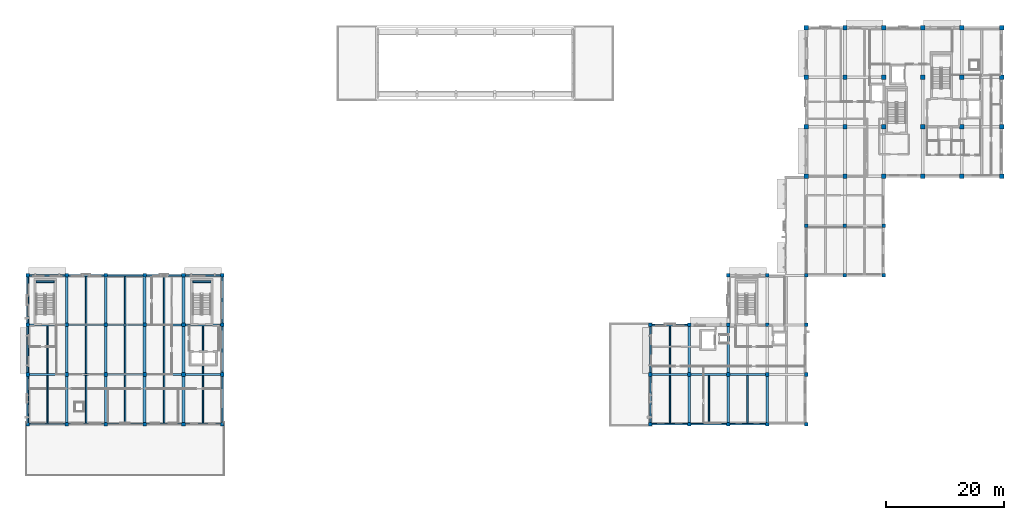
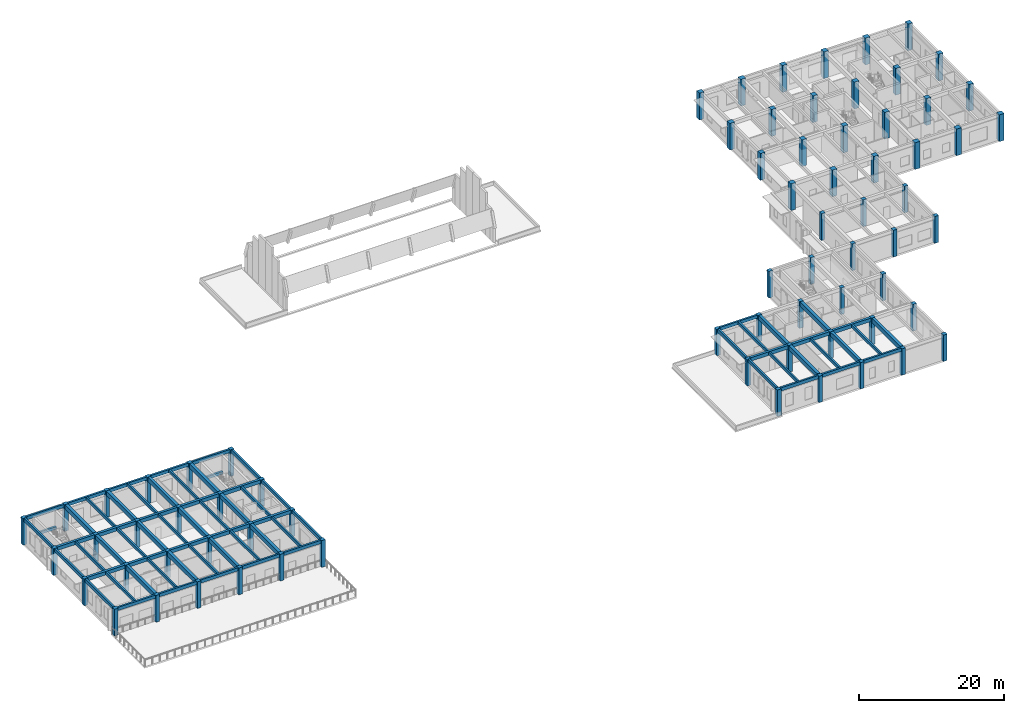
# One storey, part 1 of 25: 71 beams, 71 columns.
"""IFC4 building model written with IfcOpenShell, lengths in metres."""

from ifc_helpers import new_model, si_unit, direction, frame, origin, origin_2d, place, context, subcontext, project, spatial, rectangle, extrude, material, material_profile, profile_set, type_object, element, save


model = new_model("IFC4")

# Units and contexts
model_context = context("Model", 3, precision=1e-05, world=origin(), true_north=direction((0.0, 1.0)))
body_context = subcontext(model_context, "Body", "Model", "MODEL_VIEW")
ifc_project = project(units=[si_unit("LENGTHUNIT", "METRE"), si_unit("AREAUNIT", "SQUARE_METRE"), si_unit("VOLUMEUNIT", "CUBIC_METRE"), si_unit("PLANEANGLEUNIT", "RADIAN"), si_unit("MASSUNIT", "GRAM", prefix="KILO")], contexts=[model_context])

# Site, building, storey
site_placement = place(None, origin())
site = spatial("IfcSite", under=ifc_project, at=site_placement, CompositionType="ELEMENT")
building_placement = place(site_placement, origin())
building = spatial("IfcBuilding", under=site, at=building_placement, Name="Kolvaren Faculty of Natural Sciences", CompositionType="ELEMENT")
storey_placement = place(building_placement, frame((0.0, 0.0, 19.5)))
storey = spatial("IfcBuildingStorey", under=building, at=storey_placement, Name="L04", CompositionType="ELEMENT", Elevation=19.5)

# Columns
ifc_material_1 = material(Name="Concrete C35/45", Category="concrete")
ifc_material_profile_1 = material_profile(ifc_material_1, rectangle(XDim=0.60009765625, YDim=0.60009765625, at=origin_2d()), Name="RC COL 600x600")
ifc_profile_set_1 = profile_set([ifc_material_profile_1], Name="Concrete C35/45")
column_type_1 = type_object("IfcColumnType", Name="FrameColumn_600x600", PredefinedType="COLUMN", material=ifc_profile_set_1)
for number, where, z_axis, x_axis, name in (
    (1, (6.800048828125, 17.0, 0.0), (0.0, 0.0, 1.0), (1.0, 0.0, 0.0), "L04 column FC-60 at 2/C"),
    (2, (6.800048828125, 25.39990234375, 0.0), (0.0, 0.0, 1.0), (1.0, 0.0, 0.0), "L04 column FC-60 at 2/D"),
    (3, (6.800048828125, 33.800048828125, 0.0), (0.0, 0.0, 1.0), (1.0, 0.0, 0.0), "L04 column FC-60 at 2/E"),
    (4, (6.800048828125, 42.199951171875, 0.0), (0.0, 0.0, 1.0), (1.0, 0.0, 0.0), "L04 column FC-60 at 2/F"),
    (5, (13.39990234375, 17.0, 0.0), (0.0, 0.0, 1.0), (1.0, 0.0, 0.0), "L04 column FC-60 at 3/C"),
    (6, (13.39990234375, 25.39990234375, 0.0), (0.0, 0.0, 1.0), (1.0, 0.0, 0.0), "L04 column FC-60 at 3/D"),
    (7, (13.39990234375, 33.800048828125, 0.0), (0.0, 0.0, 1.0), (1.0, 0.0, 0.0), "L04 column FC-60 at 3/E"),
    (8, (13.39990234375, 42.199951171875, 0.0), (0.0, 0.0, 1.0), (1.0, 0.0, 0.0), "L04 column FC-60 at 3/F"),
    (9, (20.0, 17.0, 0.0), (0.0, 0.0, 1.0), (1.0, 0.0, 0.0), "L04 column FC-60 at 4/C"),
    (10, (20.0, 25.39990234375, 0.0), (0.0, 0.0, 1.0), (1.0, 0.0, 0.0), "L04 column FC-60 at 4/D"),
    (11, (20.0, 33.800048828125, 0.0), (0.0, 0.0, 1.0), (1.0, 0.0, 0.0), "L04 column FC-60 at 4/E"),
    (12, (20.0, 42.199951171875, 0.0), (0.0, 0.0, 1.0), (1.0, 0.0, 0.0), "L04 column FC-60 at 4/F"),
    (13, (26.60009765625, 17.0, 0.0), (0.0, 0.0, 1.0), (1.0, 0.0, 0.0), "L04 column FC-60 at 5/C"),
    (14, (26.60009765625, 25.39990234375, 0.0), (0.0, 0.0, 1.0), (1.0, 0.0, 0.0), "L04 column FC-60 at 5/D"),
    (15, (26.60009765625, 33.800048828125, 0.0), (0.0, 0.0, 1.0), (1.0, 0.0, 0.0), "L04 column FC-60 at 5/E"),
    (16, (26.60009765625, 42.199951171875, 0.0), (0.0, 0.0, 1.0), (1.0, 0.0, 0.0), "L04 column FC-60 at 5/F"),
    (17, (33.199951171875, 17.0, 0.0), (0.0, 0.0, 1.0), (1.0, 0.0, 0.0), "L04 column FC-60 at 6/C"),
    (18, (33.199951171875, 25.39990234375, 0.0), (0.0, 0.0, 1.0), (1.0, 0.0, 0.0), "L04 column FC-60 at 6/D"),
    (19, (33.199951171875, 33.800048828125, 0.0), (0.0, 0.0, 1.0), (1.0, 0.0, 0.0), "L04 column FC-60 at 6/E"),
    (20, (33.199951171875, 42.199951171875, 0.0), (0.0, 0.0, 1.0), (1.0, 0.0, 0.0), "L04 column FC-60 at 6/F"),
    (21, (39.800048828125, 17.0, 0.0), (0.0, 0.0, 1.0), (1.0, 0.0, 0.0), "L04 column FC-60 at 7/C"),
    (22, (39.800048828125, 25.39990234375, 0.0), (0.0, 0.0, 1.0), (1.0, 0.0, 0.0), "L04 column FC-60 at 7/D"),
    (23, (39.800048828125, 33.800048828125, 0.0), (0.0, 0.0, 1.0), (1.0, 0.0, 0.0), "L04 column FC-60 at 7/E"),
    (24, (39.800048828125, 42.199951171875, 0.0), (0.0, 0.0, 1.0), (1.0, 0.0, 0.0), "L04 column FC-60 at 7/F"),
):
    element("IfcColumn", number, at=place(storey_placement, frame(where, z_axis=z_axis, x_axis=x_axis)), inside=storey, type_object=column_type_1, Name=name, PredefinedType="COLUMN", context=body_context, shape_type="SweptSolid", body=[
        extrude(rectangle(XDim=0.60009765625, YDim=0.60009765625, at=origin_2d()), origin(), (0.0, 0.0, 1.0), 4.5),
    ])
for number, where, z_axis, x_axis, name in (
    (25, (112.39990234375, 17.0, 0.0), (0.0, 0.0, 1.0), (1.0, 0.0, 0.0), "L04 column FC-60 at 18/C"),
    (26, (112.39990234375, 25.39990234375, 0.0), (0.0, 0.0, 1.0), (1.0, 0.0, 0.0), "L04 column FC-60 at 18/D"),
    (27, (112.39990234375, 33.800048828125, 0.0), (0.0, 0.0, 1.0), (1.0, 0.0, 0.0), "L04 column FC-60 at 18/E"),
    (28, (119.0, 17.0, 0.0), (0.0, 0.0, 1.0), (1.0, 0.0, 0.0), "L04 column FC-60 at 19/C"),
):
    element("IfcColumn", number, at=place(storey_placement, frame(where, z_axis=z_axis, x_axis=x_axis)), inside=storey, type_object=column_type_1, Name=name, PredefinedType="COLUMN", context=body_context, shape_type="SweptSolid", body=[
        extrude(rectangle(XDim=0.60009765625, YDim=0.60009765625, at=origin_2d()), origin(), (0.0, 0.0, 1.0), 4.43994140625),
    ])
for number, where, z_axis, x_axis, name in (
    (29, (119.0, 25.39990234375, 0.0), (0.0, 0.0, 1.0), (1.0, 0.0, 0.0), "L04 column FC-60 at 19/D"),
    (30, (119.0, 33.800048828125, 0.0), (0.0, 0.0, 1.0), (1.0, 0.0, 0.0), "L04 column FC-60 at 19/E"),
):
    element("IfcColumn", number, at=place(storey_placement, frame(where, z_axis=z_axis, x_axis=x_axis)), inside=storey, type_object=column_type_1, Name=name, PredefinedType="COLUMN", context=body_context, shape_type="SweptSolid", body=[
        extrude(rectangle(XDim=0.60009765625, YDim=0.60009765625, at=origin_2d()), origin(), (0.0, 0.0, 1.0), 4.5),
    ])
column_1_placement = place(storey_placement, frame((125.60009765625, 17.0, 0.0), z_axis=(0.0, 0.0, 1.0), x_axis=(1.0, 0.0, 0.0)))
element("IfcColumn", 31, at=column_1_placement, inside=storey, type_object=column_type_1, Name="L04 column FC-60 at 20/C", PredefinedType="COLUMN", context=body_context, shape_type="SweptSolid", body=[
    extrude(rectangle(XDim=0.60009765625, YDim=0.60009765625, at=origin_2d()), origin(), (0.0, 0.0, 1.0), 4.43994140625),
])
for number, where, z_axis, x_axis, name in (
    (32, (125.60009765625, 25.39990234375, 0.0), (0.0, 0.0, 1.0), (1.0, 0.0, 0.0), "L04 column FC-60 at 20/D"),
    (33, (125.60009765625, 33.800048828125, 0.0), (0.0, 0.0, 1.0), (1.0, 0.0, 0.0), "L04 column FC-60 at 20/E"),
    (34, (125.60009765625, 42.199951171875, 0.0), (0.0, 0.0, 1.0), (1.0, 0.0, 0.0), "L04 column FC-60 at 20/F"),
):
    element("IfcColumn", number, at=place(storey_placement, frame(where, z_axis=z_axis, x_axis=x_axis)), inside=storey, type_object=column_type_1, Name=name, PredefinedType="COLUMN", context=body_context, shape_type="SweptSolid", body=[
        extrude(rectangle(XDim=0.60009765625, YDim=0.60009765625, at=origin_2d()), origin(), (0.0, 0.0, 1.0), 4.5),
    ])
column_2_placement = place(storey_placement, frame((132.199951171875, 17.0, 0.0), z_axis=(0.0, 0.0, 1.0), x_axis=(1.0, 0.0, 0.0)))
element("IfcColumn", 35, at=column_2_placement, inside=storey, type_object=column_type_1, Name="L04 column FC-60 at 21/C", PredefinedType="COLUMN", context=body_context, shape_type="SweptSolid", body=[
    extrude(rectangle(XDim=0.60009765625, YDim=0.60009765625, at=origin_2d()), origin(), (0.0, 0.0, 1.0), 4.43994140625),
])
for number, where, z_axis, x_axis, name in (
    (36, (132.199951171875, 25.39990234375, 0.0), (0.0, 0.0, 1.0), (1.0, 0.0, 0.0), "L04 column FC-60 at 21/D"),
    (37, (132.199951171875, 33.800048828125, 0.0), (0.0, 0.0, 1.0), (1.0, 0.0, 0.0), "L04 column FC-60 at 21/E"),
    (38, (132.199951171875, 42.199951171875, 0.0), (0.0, 0.0, 1.0), (1.0, 0.0, 0.0), "L04 column FC-60 at 21/F"),
):
    element("IfcColumn", number, at=place(storey_placement, frame(where, z_axis=z_axis, x_axis=x_axis)), inside=storey, type_object=column_type_1, Name=name, PredefinedType="COLUMN", context=body_context, shape_type="SweptSolid", body=[
        extrude(rectangle(XDim=0.60009765625, YDim=0.60009765625, at=origin_2d()), origin(), (0.0, 0.0, 1.0), 4.5),
    ])
column_3_placement = place(storey_placement, frame((138.800048828125, 17.0, 0.0), z_axis=(0.0, 0.0, 1.0), x_axis=(1.0, 0.0, 0.0)))
element("IfcColumn", 39, at=column_3_placement, inside=storey, type_object=column_type_1, Name="L04 column FC-60 at 22/C", PredefinedType="COLUMN", context=body_context, shape_type="SweptSolid", body=[
    extrude(rectangle(XDim=0.60009765625, YDim=0.60009765625, at=origin_2d()), origin(), (0.0, 0.0, 1.0), 4.43994140625),
])
for number, where, z_axis, x_axis, name in (
    (40, (138.800048828125, 25.39990234375, 0.0), (0.0, 0.0, 1.0), (1.0, 0.0, 0.0), "L04 column FC-60 at 22/D"),
    (41, (138.800048828125, 33.800048828125, 0.0), (0.0, 0.0, 1.0), (1.0, 0.0, 0.0), "L04 column FC-60 at 22/E"),
    (42, (138.800048828125, 42.199951171875, 0.0), (0.0, 0.0, 1.0), (1.0, 0.0, 0.0), "L04 column FC-60 at 22/F"),
    (43, (138.800048828125, 50.60009765625, 0.0), (0.0, 0.0, 1.0), (1.0, 0.0, 0.0), "L04 column FC-60 at 22/G"),
    (44, (145.39990234375, 42.199951171875, 0.0), (0.0, 0.0, 1.0), (1.0, 0.0, 0.0), "L04 column FC-60 at 23/F"),
    (45, (145.39990234375, 50.60009765625, 0.0), (0.0, 0.0, 1.0), (1.0, 0.0, 0.0), "L04 column FC-60 at 23/G"),
    (46, (152.0, 42.199951171875, 0.0), (0.0, 0.0, 1.0), (1.0, 0.0, 0.0), "L04 column FC-60 at 24/F"),
    (47, (152.0, 50.60009765625, 0.0), (0.0, 0.0, 1.0), (1.0, 0.0, 0.0), "L04 column FC-60 at 24/G"),
):
    element("IfcColumn", number, at=place(storey_placement, frame(where, z_axis=z_axis, x_axis=x_axis)), inside=storey, type_object=column_type_1, Name=name, PredefinedType="COLUMN", context=body_context, shape_type="SweptSolid", body=[
        extrude(rectangle(XDim=0.60009765625, YDim=0.60009765625, at=origin_2d()), origin(), (0.0, 0.0, 1.0), 4.5),
    ])
ifc_material_2 = material(Name="Concrete C40/50", Category="concrete")
ifc_material_profile_2 = material_profile(ifc_material_2, rectangle(XDim=0.75, YDim=0.75, at=origin_2d()), Name="RC COL 750x750")
ifc_profile_set_2 = profile_set([ifc_material_profile_2], Name="Concrete C40/50")
column_type_2 = type_object("IfcColumnType", Name="TowerColumn_750x750", PredefinedType="COLUMN", material=ifc_profile_set_2)
for number, where, z_axis, x_axis, name in (
    (48, (138.800048828125, 59.0, 0.0), (0.0, 0.0, 1.0), (1.0, 0.0, 0.0), "L04 column TC-75 at 22/H"),
    (49, (138.800048828125, 67.39990234375, 0.0), (0.0, 0.0, 1.0), (1.0, 0.0, 0.0), "L04 column TC-75 at 22/J"),
    (50, (138.800048828125, 75.800048828125, 0.0), (0.0, 0.0, 1.0), (1.0, 0.0, 0.0), "L04 column TC-75 at 22/K"),
    (51, (138.800048828125, 84.199951171875, 0.0), (0.0, 0.0, 1.0), (1.0, 0.0, 0.0), "L04 column TC-75 at 22/L"),
    (52, (145.39990234375, 59.0, 0.0), (0.0, 0.0, 1.0), (1.0, 0.0, 0.0), "L04 column TC-75 at 23/H"),
    (53, (145.39990234375, 67.39990234375, 0.0), (0.0, 0.0, 1.0), (1.0, 0.0, 0.0), "L04 column TC-75 at 23/J"),
    (54, (145.39990234375, 75.800048828125, 0.0), (0.0, 0.0, 1.0), (1.0, 0.0, 0.0), "L04 column TC-75 at 23/K"),
    (55, (145.39990234375, 84.199951171875, 0.0), (0.0, 0.0, 1.0), (1.0, 0.0, 0.0), "L04 column TC-75 at 23/L"),
    (56, (152.0, 59.0, 0.0), (0.0, 0.0, 1.0), (1.0, 0.0, 0.0), "L04 column TC-75 at 24/H"),
    (57, (152.0, 67.39990234375, 0.0), (0.0, 0.0, 1.0), (1.0, 0.0, 0.0), "L04 column TC-75 at 24/J"),
    (58, (152.0, 75.800048828125, 0.0), (0.0, 0.0, 1.0), (1.0, 0.0, 0.0), "L04 column TC-75 at 24/K"),
    (59, (152.0, 84.199951171875, 0.0), (0.0, 0.0, 1.0), (1.0, 0.0, 0.0), "L04 column TC-75 at 24/L"),
    (60, (158.60009765625, 59.0, 0.0), (0.0, 0.0, 1.0), (1.0, 0.0, 0.0), "L04 column TC-75 at 25/H"),
    (61, (158.60009765625, 67.39990234375, 0.0), (0.0, 0.0, 1.0), (1.0, 0.0, 0.0), "L04 column TC-75 at 25/J"),
    (62, (158.60009765625, 75.800048828125, 0.0), (0.0, 0.0, 1.0), (1.0, 0.0, 0.0), "L04 column TC-75 at 25/K"),
    (63, (158.60009765625, 84.199951171875, 0.0), (0.0, 0.0, 1.0), (1.0, 0.0, 0.0), "L04 column TC-75 at 25/L"),
    (64, (165.199951171875, 59.0, 0.0), (0.0, 0.0, 1.0), (1.0, 0.0, 0.0), "L04 column TC-75 at 26/H"),
    (65, (165.199951171875, 67.39990234375, 0.0), (0.0, 0.0, 1.0), (1.0, 0.0, 0.0), "L04 column TC-75 at 26/J"),
    (66, (165.199951171875, 75.800048828125, 0.0), (0.0, 0.0, 1.0), (1.0, 0.0, 0.0), "L04 column TC-75 at 26/K"),
    (67, (165.199951171875, 84.199951171875, 0.0), (0.0, 0.0, 1.0), (1.0, 0.0, 0.0), "L04 column TC-75 at 26/L"),
    (68, (172.0, 59.0, 0.0), (0.0, 0.0, 1.0), (1.0, 0.0, 0.0), "L04 column TC-75 at 27/H"),
    (69, (172.0, 67.39990234375, 0.0), (0.0, 0.0, 1.0), (1.0, 0.0, 0.0), "L04 column TC-75 at 27/J"),
    (70, (172.0, 75.800048828125, 0.0), (0.0, 0.0, 1.0), (1.0, 0.0, 0.0), "L04 column TC-75 at 27/K"),
    (71, (172.0, 84.199951171875, 0.0), (0.0, 0.0, 1.0), (1.0, 0.0, 0.0), "L04 column TC-75 at 27/L"),
):
    element("IfcColumn", number, at=place(storey_placement, frame(where, z_axis=z_axis, x_axis=x_axis)), inside=storey, type_object=column_type_2, Name=name, PredefinedType="COLUMN", context=body_context, shape_type="SweptSolid", body=[
        extrude(rectangle(XDim=0.75, YDim=0.75, at=origin_2d()), origin(), (0.0, 0.0, 1.0), 4.5),
    ])

# Beams
ifc_material_profile_3 = material_profile(ifc_material_2, rectangle(XDim=0.300048828125, YDim=0.449951171875, at=origin_2d()), Name="RC LNT 300x450")
ifc_profile_set_3 = profile_set([ifc_material_profile_3], Name="Concrete C40/50")
beam_type_1 = type_object("IfcBeamType", Name="CoreCouplingLintel_300x450", PredefinedType="LINTEL", material=ifc_profile_set_3)
beam_1_placement = place(storey_placement, frame((34.77490234375, 41.1298828125, 1.824951171875), z_axis=(1.0, 0.0, 0.0), x_axis=(0.0, 1.0, 0.0)))
element("IfcBeam", 72, at=beam_1_placement, inside=storey, type_object=beam_type_1, Name="L04 ST-4 half-landing support lintel", PredefinedType="LINTEL", context=body_context, shape_type="SweptSolid", body=[
    extrude(rectangle(XDim=0.300048828125, YDim=0.449951171875, at=origin_2d()), origin(), (0.0, 0.0, 1.0), 3.050048828125),
])
beam_2_placement = place(storey_placement, frame((8.22509765625, 41.1298828125, 1.824951171875), z_axis=(1.0, 0.0, 0.0), x_axis=(0.0, 1.0, 0.0)))
element("IfcBeam", 73, at=beam_2_placement, inside=storey, type_object=beam_type_1, Name="L04 ST-8 half-landing support lintel", PredefinedType="LINTEL", context=body_context, shape_type="SweptSolid", body=[
    extrude(rectangle(XDim=0.300048828125, YDim=0.449951171875, at=origin_2d()), origin(), (0.0, 0.0, 1.0), 3.0498046875),
])
ifc_material_profile_4 = material_profile(ifc_material_1, rectangle(XDim=0.39990234375, YDim=0.60009765625, at=origin_2d()), Name="RC BM 400x600")
ifc_profile_set_4 = profile_set([ifc_material_profile_4], Name="Concrete C35/45")
beam_type_2 = type_object("IfcBeamType", Name="GridBeam_400x600", PredefinedType="BEAM", material=ifc_profile_set_4)
for number, where, z_axis, x_axis, name in (
    (74, (7.10009765625, 25.39990234375, 4.199951171875), (1.0, 0.0, 0.0), (0.0, 1.0, 0.0), "L04 beam BM-60 on grid D"),
    (75, (13.699951171875, 25.39990234375, 4.199951171875), (1.0, 0.0, 0.0), (0.0, 1.0, 0.0), "L04 beam BM-60 on grid D"),
    (76, (20.300048828125, 25.39990234375, 4.199951171875), (1.0, 0.0, 0.0), (0.0, 1.0, 0.0), "L04 beam BM-60 on grid D"),
    (77, (26.89990234375, 25.39990234375, 4.199951171875), (1.0, 0.0, 0.0), (0.0, 1.0, 0.0), "L04 beam BM-60 on grid D"),
    (78, (33.5, 25.39990234375, 4.199951171875), (1.0, 0.0, 0.0), (0.0, 1.0, 0.0), "L04 beam BM-60 on grid D"),
    (79, (112.699951171875, 25.39990234375, 4.199951171875), (1.0, 0.0, 0.0), (0.0, 1.0, 0.0), "L04 beam BM-60 on grid D"),
    (80, (119.300048828125, 25.39990234375, 4.199951171875), (1.0, 0.0, 0.0), (0.0, 1.0, 0.0), "L04 beam BM-60 on grid D"),
    (81, (125.89990234375, 25.39990234375, 4.199951171875), (1.0, 0.0, 0.0), (0.0, 1.0, 0.0), "L04 beam BM-60 on grid D"),
    (82, (7.10009765625, 33.800048828125, 4.199951171875), (1.0, 0.0, 0.0), (0.0, 1.0, 0.0), "L04 beam BM-60 on grid E"),
    (83, (13.699951171875, 33.800048828125, 4.199951171875), (1.0, 0.0, 0.0), (0.0, 1.0, 0.0), "L04 beam BM-60 on grid E"),
    (84, (20.300048828125, 33.800048828125, 4.199951171875), (1.0, 0.0, 0.0), (0.0, 1.0, 0.0), "L04 beam BM-60 on grid E"),
    (85, (26.89990234375, 33.800048828125, 4.199951171875), (1.0, 0.0, 0.0), (0.0, 1.0, 0.0), "L04 beam BM-60 on grid E"),
    (86, (33.5, 33.800048828125, 4.199951171875), (1.0, 0.0, 0.0), (0.0, 1.0, 0.0), "L04 beam BM-60 on grid E"),
):
    element("IfcBeam", number, at=place(storey_placement, frame(where, z_axis=z_axis, x_axis=x_axis)), inside=storey, type_object=beam_type_2, Name=name, PredefinedType="BEAM", context=body_context, shape_type="SweptSolid", body=[
        extrude(rectangle(XDim=0.39990234375, YDim=0.60009765625, at=origin_2d()), origin(), (0.0, 0.0, 1.0), 6.0),
    ])
ifc_material_profile_5 = material_profile(ifc_material_1, rectangle(XDim=0.260009765625, YDim=0.5, at=origin_2d()), Name="RC JST 260x500")
ifc_profile_set_5 = profile_set([ifc_material_profile_5], Name="Concrete C35/45")
beam_type_3 = type_object("IfcBeamType", Name="LabRibJoist_260x500", PredefinedType="JOIST", material=ifc_profile_set_5)
beam_3_placement = place(storey_placement, frame((10.10009765625, 17.14990234375, 4.25), z_axis=(0.0, 1.0, 0.0), x_axis=(-1.0, 0.0, 0.0)))
element("IfcBeam", 87, at=beam_3_placement, inside=storey, type_object=beam_type_3, Name="L04 ribbed laboratory slab joist JS-50", PredefinedType="JOIST", context=body_context, shape_type="SweptSolid", body=[
    extrude(rectangle(XDim=0.260009765625, YDim=0.5, at=origin_2d()), origin(), (0.0, 0.0, 1.0), 8.050048828125),
])
beam_4_placement = place(storey_placement, frame((10.10009765625, 25.60009765625, 4.25), z_axis=(0.0, 1.0, 0.0), x_axis=(-1.0, 0.0, 0.0)))
element("IfcBeam", 88, at=beam_4_placement, inside=storey, type_object=beam_type_3, Name="L04 ribbed laboratory slab joist JS-50", PredefinedType="JOIST", context=body_context, shape_type="SweptSolid", body=[
    extrude(rectangle(XDim=0.260009765625, YDim=0.5, at=origin_2d()), origin(), (0.0, 0.0, 1.0), 8.0),
])
beam_5_placement = place(storey_placement, frame((16.699951171875, 17.14990234375, 4.25), z_axis=(0.0, 1.0, 0.0), x_axis=(-1.0, 0.0, 0.0)))
element("IfcBeam", 89, at=beam_5_placement, inside=storey, type_object=beam_type_3, Name="L04 ribbed laboratory slab joist JS-50", PredefinedType="JOIST", context=body_context, shape_type="SweptSolid", body=[
    extrude(rectangle(XDim=0.260009765625, YDim=0.5, at=origin_2d()), origin(), (0.0, 0.0, 1.0), 8.050048828125),
])
beam_6_placement = place(storey_placement, frame((16.699951171875, 25.60009765625, 4.25), z_axis=(0.0, 1.0, 0.0), x_axis=(-1.0, 0.0, 0.0)))
element("IfcBeam", 90, at=beam_6_placement, inside=storey, type_object=beam_type_3, Name="L04 ribbed laboratory slab joist JS-50", PredefinedType="JOIST", context=body_context, shape_type="SweptSolid", body=[
    extrude(rectangle(XDim=0.260009765625, YDim=0.5, at=origin_2d()), origin(), (0.0, 0.0, 1.0), 8.0),
])
for number, where, z_axis, x_axis, name in (
    (91, (16.699951171875, 34.0, 4.25), (0.0, 1.0, 0.0), (-1.0, 0.0, 0.0), "L04 ribbed laboratory slab joist JS-50"),
    (92, (23.300048828125, 17.14990234375, 4.25), (0.0, 1.0, 0.0), (-1.0, 0.0, 0.0), "L04 ribbed laboratory slab joist JS-50"),
):
    element("IfcBeam", number, at=place(storey_placement, frame(where, z_axis=z_axis, x_axis=x_axis)), inside=storey, type_object=beam_type_3, Name=name, PredefinedType="JOIST", context=body_context, shape_type="SweptSolid", body=[
        extrude(rectangle(XDim=0.260009765625, YDim=0.5, at=origin_2d()), origin(), (0.0, 0.0, 1.0), 8.050048828125),
    ])
beam_7_placement = place(storey_placement, frame((23.300048828125, 25.60009765625, 4.25), z_axis=(0.0, 1.0, 0.0), x_axis=(-1.0, 0.0, 0.0)))
element("IfcBeam", 93, at=beam_7_placement, inside=storey, type_object=beam_type_3, Name="L04 ribbed laboratory slab joist JS-50", PredefinedType="JOIST", context=body_context, shape_type="SweptSolid", body=[
    extrude(rectangle(XDim=0.260009765625, YDim=0.5, at=origin_2d()), origin(), (0.0, 0.0, 1.0), 8.0),
])
for number, where, z_axis, x_axis, name in (
    (94, (23.300048828125, 34.0, 4.25), (0.0, 1.0, 0.0), (-1.0, 0.0, 0.0), "L04 ribbed laboratory slab joist JS-50"),
    (95, (29.89990234375, 17.14990234375, 4.25), (0.0, 1.0, 0.0), (-1.0, 0.0, 0.0), "L04 ribbed laboratory slab joist JS-50"),
):
    element("IfcBeam", number, at=place(storey_placement, frame(where, z_axis=z_axis, x_axis=x_axis)), inside=storey, type_object=beam_type_3, Name=name, PredefinedType="JOIST", context=body_context, shape_type="SweptSolid", body=[
        extrude(rectangle(XDim=0.260009765625, YDim=0.5, at=origin_2d()), origin(), (0.0, 0.0, 1.0), 8.050048828125),
    ])
beam_8_placement = place(storey_placement, frame((29.89990234375, 25.60009765625, 4.25), z_axis=(0.0, 1.0, 0.0), x_axis=(-1.0, 0.0, 0.0)))
element("IfcBeam", 96, at=beam_8_placement, inside=storey, type_object=beam_type_3, Name="L04 ribbed laboratory slab joist JS-50", PredefinedType="JOIST", context=body_context, shape_type="SweptSolid", body=[
    extrude(rectangle(XDim=0.260009765625, YDim=0.5, at=origin_2d()), origin(), (0.0, 0.0, 1.0), 8.0),
])
for number, where, z_axis, x_axis, name in (
    (97, (29.89990234375, 34.0, 4.25), (0.0, 1.0, 0.0), (-1.0, 0.0, 0.0), "L04 ribbed laboratory slab joist JS-50"),
    (98, (36.5, 17.14990234375, 4.25), (0.0, 1.0, 0.0), (-1.0, 0.0, 0.0), "L04 ribbed laboratory slab joist JS-50"),
):
    element("IfcBeam", number, at=place(storey_placement, frame(where, z_axis=z_axis, x_axis=x_axis)), inside=storey, type_object=beam_type_3, Name=name, PredefinedType="JOIST", context=body_context, shape_type="SweptSolid", body=[
        extrude(rectangle(XDim=0.260009765625, YDim=0.5, at=origin_2d()), origin(), (0.0, 0.0, 1.0), 8.050048828125),
    ])
beam_9_placement = place(storey_placement, frame((36.5, 25.60009765625, 4.25), z_axis=(0.0, 1.0, 0.0), x_axis=(-1.0, 0.0, 0.0)))
element("IfcBeam", 99, at=beam_9_placement, inside=storey, type_object=beam_type_3, Name="L04 ribbed laboratory slab joist JS-50", PredefinedType="JOIST", context=body_context, shape_type="SweptSolid", body=[
    extrude(rectangle(XDim=0.260009765625, YDim=0.5, at=origin_2d()), origin(), (0.0, 0.0, 1.0), 8.0),
])
beam_10_placement = place(storey_placement, frame((115.699951171875, 17.14990234375, 4.25), z_axis=(0.0, 1.0, 0.0), x_axis=(-1.0, 0.0, 0.0)))
element("IfcBeam", 100, at=beam_10_placement, inside=storey, type_object=beam_type_3, Name="L04 ribbed laboratory slab joist JS-50", PredefinedType="JOIST", context=body_context, shape_type="SweptSolid", body=[
    extrude(rectangle(XDim=0.260009765625, YDim=0.5, at=origin_2d()), origin(), (0.0, 0.0, 1.0), 8.050048828125),
])
beam_11_placement = place(storey_placement, frame((115.699951171875, 25.60009765625, 4.25), z_axis=(0.0, 1.0, 0.0), x_axis=(-1.0, 0.0, 0.0)))
element("IfcBeam", 101, at=beam_11_placement, inside=storey, type_object=beam_type_3, Name="L04 ribbed laboratory slab joist JS-50", PredefinedType="JOIST", context=body_context, shape_type="SweptSolid", body=[
    extrude(rectangle(XDim=0.260009765625, YDim=0.5, at=origin_2d()), origin(), (0.0, 0.0, 1.0), 8.0498046875),
])
for number, where, z_axis, x_axis, name in (
    (102, (122.300048828125, 17.14990234375, 4.25), (0.0, 1.0, 0.0), (-1.0, 0.0, 0.0), "L04 ribbed laboratory slab joist JS-50"),
    (103, (128.89990234375, 17.14990234375, 4.25), (0.0, 1.0, 0.0), (-1.0, 0.0, 0.0), "L04 ribbed laboratory slab joist JS-50"),
):
    element("IfcBeam", number, at=place(storey_placement, frame(where, z_axis=z_axis, x_axis=x_axis)), inside=storey, type_object=beam_type_3, Name=name, PredefinedType="JOIST", context=body_context, shape_type="SweptSolid", body=[
        extrude(rectangle(XDim=0.260009765625, YDim=0.5, at=origin_2d()), origin(), (0.0, 0.0, 1.0), 8.050048828125),
    ])
ifc_material_profile_6 = material_profile(ifc_material_1, rectangle(XDim=0.300048828125, YDim=0.550048828125, at=origin_2d()), Name="RC SP 300x550")
ifc_profile_set_6 = profile_set([ifc_material_profile_6], Name="Concrete C35/45")
beam_type_4 = type_object("IfcBeamType", Name="PerimeterSpandrel_300x550", PredefinedType="SPANDREL", material=ifc_profile_set_6)
for number, where, z_axis, x_axis, name in (
    (104, (7.10009765625, 17.0, 4.22509765625), (1.0, 0.0, 0.0), (0.0, 1.0, 0.0), "L04 spandrel SP-55 on grid C"),
    (105, (13.699951171875, 17.0, 4.22509765625), (1.0, 0.0, 0.0), (0.0, 1.0, 0.0), "L04 spandrel SP-55 on grid C"),
    (106, (20.300048828125, 17.0, 4.22509765625), (1.0, 0.0, 0.0), (0.0, 1.0, 0.0), "L04 spandrel SP-55 on grid C"),
    (107, (26.89990234375, 17.0, 4.22509765625), (1.0, 0.0, 0.0), (0.0, 1.0, 0.0), "L04 spandrel SP-55 on grid C"),
    (108, (33.5, 17.0, 4.22509765625), (1.0, 0.0, 0.0), (0.0, 1.0, 0.0), "L04 spandrel SP-55 on grid C"),
    (109, (112.699951171875, 17.0, 4.22509765625), (1.0, 0.0, 0.0), (0.0, 1.0, 0.0), "L04 spandrel SP-55 on grid C"),
    (110, (119.300048828125, 17.0, 4.22509765625), (1.0, 0.0, 0.0), (0.0, 1.0, 0.0), "L04 spandrel SP-55 on grid C"),
    (111, (125.89990234375, 17.0, 4.22509765625), (1.0, 0.0, 0.0), (0.0, 1.0, 0.0), "L04 spandrel SP-55 on grid C"),
    (112, (112.699951171875, 33.800048828125, 4.22509765625), (1.0, 0.0, 0.0), (0.0, 1.0, 0.0), "L04 spandrel SP-55 on grid E"),
    (113, (7.10009765625, 42.199951171875, 4.22509765625), (1.0, 0.0, 0.0), (0.0, 1.0, 0.0), "L04 spandrel SP-55 on grid F"),
    (114, (13.699951171875, 42.199951171875, 4.22509765625), (1.0, 0.0, 0.0), (0.0, 1.0, 0.0), "L04 spandrel SP-55 on grid F"),
    (115, (20.300048828125, 42.199951171875, 4.22509765625), (1.0, 0.0, 0.0), (0.0, 1.0, 0.0), "L04 spandrel SP-55 on grid F"),
    (116, (26.89990234375, 42.199951171875, 4.22509765625), (1.0, 0.0, 0.0), (0.0, 1.0, 0.0), "L04 spandrel SP-55 on grid F"),
    (117, (33.5, 42.199951171875, 4.22509765625), (1.0, 0.0, 0.0), (0.0, 1.0, 0.0), "L04 spandrel SP-55 on grid F"),
):
    element("IfcBeam", number, at=place(storey_placement, frame(where, z_axis=z_axis, x_axis=x_axis)), inside=storey, type_object=beam_type_4, Name=name, PredefinedType="SPANDREL", context=body_context, shape_type="SweptSolid", body=[
        extrude(rectangle(XDim=0.300048828125, YDim=0.550048828125, at=origin_2d()), origin(), (0.0, 0.0, 1.0), 6.0),
    ])
for number, where, z_axis, x_axis, name in (
    (118, (6.800048828125, 17.300048828125, 4.22509765625), (0.0, 1.0, 0.0), (-1.0, 0.0, 0.0), "L04 girder SP-55 on grid 2"),
    (119, (6.800048828125, 25.699951171875, 4.22509765625), (0.0, 1.0, 0.0), (-1.0, 0.0, 0.0), "L04 girder SP-55 on grid 2"),
):
    element("IfcBeam", number, at=place(storey_placement, frame(where, z_axis=z_axis, x_axis=x_axis)), inside=storey, type_object=beam_type_4, Name=name, PredefinedType="SPANDREL", context=body_context, shape_type="SweptSolid", body=[
        extrude(rectangle(XDim=0.300048828125, YDim=0.550048828125, at=origin_2d()), origin(), (0.0, 0.0, 1.0), 7.800048828125),
    ])
beam_12_placement = place(storey_placement, frame((6.800048828125, 34.10009765625, 4.22509765625), z_axis=(0.0, 1.0, 0.0), x_axis=(-1.0, 0.0, 0.0)))
element("IfcBeam", 120, at=beam_12_placement, inside=storey, type_object=beam_type_4, Name="L04 girder SP-55 on grid 2", PredefinedType="SPANDREL", context=body_context, shape_type="SweptSolid", body=[
    extrude(rectangle(XDim=0.300048828125, YDim=0.550048828125, at=origin_2d()), origin(), (0.0, 0.0, 1.0), 7.7998046875),
])
for number, where, z_axis, x_axis, name in (
    (121, (39.800048828125, 17.300048828125, 4.22509765625), (0.0, 1.0, 0.0), (-1.0, 0.0, 0.0), "L04 girder SP-55 on grid 7"),
    (122, (39.800048828125, 25.699951171875, 4.22509765625), (0.0, 1.0, 0.0), (-1.0, 0.0, 0.0), "L04 girder SP-55 on grid 7"),
):
    element("IfcBeam", number, at=place(storey_placement, frame(where, z_axis=z_axis, x_axis=x_axis)), inside=storey, type_object=beam_type_4, Name=name, PredefinedType="SPANDREL", context=body_context, shape_type="SweptSolid", body=[
        extrude(rectangle(XDim=0.300048828125, YDim=0.550048828125, at=origin_2d()), origin(), (0.0, 0.0, 1.0), 7.800048828125),
    ])
beam_13_placement = place(storey_placement, frame((39.800048828125, 34.10009765625, 4.22509765625), z_axis=(0.0, 1.0, 0.0), x_axis=(-1.0, 0.0, 0.0)))
element("IfcBeam", 123, at=beam_13_placement, inside=storey, type_object=beam_type_4, Name="L04 girder SP-55 on grid 7", PredefinedType="SPANDREL", context=body_context, shape_type="SweptSolid", body=[
    extrude(rectangle(XDim=0.300048828125, YDim=0.550048828125, at=origin_2d()), origin(), (0.0, 0.0, 1.0), 7.7998046875),
])
for number, where, z_axis, x_axis, name in (
    (124, (112.39990234375, 17.300048828125, 4.22509765625), (0.0, 1.0, 0.0), (-1.0, 0.0, 0.0), "L04 girder SP-55 on grid 18"),
    (125, (112.39990234375, 25.699951171875, 4.22509765625), (0.0, 1.0, 0.0), (-1.0, 0.0, 0.0), "L04 girder SP-55 on grid 18"),
):
    element("IfcBeam", number, at=place(storey_placement, frame(where, z_axis=z_axis, x_axis=x_axis)), inside=storey, type_object=beam_type_4, Name=name, PredefinedType="SPANDREL", context=body_context, shape_type="SweptSolid", body=[
        extrude(rectangle(XDim=0.300048828125, YDim=0.550048828125, at=origin_2d()), origin(), (0.0, 0.0, 1.0), 7.800048828125),
    ])
ifc_material_profile_7 = material_profile(ifc_material_1, rectangle(XDim=0.449951171875, YDim=0.75, at=origin_2d()), Name="RC BM 450x750")
ifc_profile_set_7 = profile_set([ifc_material_profile_7], Name="Concrete C35/45")
beam_type_5 = type_object("IfcBeamType", Name="PrimaryGirder_450x750", PredefinedType="BEAM", material=ifc_profile_set_7)
for number, where, z_axis, x_axis, name in (
    (126, (13.39990234375, 17.300048828125, 4.125), (0.0, 1.0, 0.0), (-1.0, 0.0, 0.0), "L04 girder BG-75 on grid 3"),
    (127, (13.39990234375, 25.699951171875, 4.125), (0.0, 1.0, 0.0), (-1.0, 0.0, 0.0), "L04 girder BG-75 on grid 3"),
):
    element("IfcBeam", number, at=place(storey_placement, frame(where, z_axis=z_axis, x_axis=x_axis)), inside=storey, type_object=beam_type_5, Name=name, PredefinedType="BEAM", context=body_context, shape_type="SweptSolid", body=[
        extrude(rectangle(XDim=0.449951171875, YDim=0.75, at=origin_2d()), origin(), (0.0, 0.0, 1.0), 7.800048828125),
    ])
beam_14_placement = place(storey_placement, frame((13.39990234375, 34.10009765625, 4.125), z_axis=(0.0, 1.0, 0.0), x_axis=(-1.0, 0.0, 0.0)))
element("IfcBeam", 128, at=beam_14_placement, inside=storey, type_object=beam_type_5, Name="L04 girder BG-75 on grid 3", PredefinedType="BEAM", context=body_context, shape_type="SweptSolid", body=[
    extrude(rectangle(XDim=0.449951171875, YDim=0.75, at=origin_2d()), origin(), (0.0, 0.0, 1.0), 7.7998046875),
])
for number, where, z_axis, x_axis, name in (
    (129, (20.0, 17.300048828125, 4.125), (0.0, 1.0, 0.0), (-1.0, 0.0, 0.0), "L04 girder BG-75 on grid 4"),
    (130, (20.0, 25.699951171875, 4.125), (0.0, 1.0, 0.0), (-1.0, 0.0, 0.0), "L04 girder BG-75 on grid 4"),
):
    element("IfcBeam", number, at=place(storey_placement, frame(where, z_axis=z_axis, x_axis=x_axis)), inside=storey, type_object=beam_type_5, Name=name, PredefinedType="BEAM", context=body_context, shape_type="SweptSolid", body=[
        extrude(rectangle(XDim=0.449951171875, YDim=0.75, at=origin_2d()), origin(), (0.0, 0.0, 1.0), 7.800048828125),
    ])
beam_15_placement = place(storey_placement, frame((20.0, 34.10009765625, 4.125), z_axis=(0.0, 1.0, 0.0), x_axis=(-1.0, 0.0, 0.0)))
element("IfcBeam", 131, at=beam_15_placement, inside=storey, type_object=beam_type_5, Name="L04 girder BG-75 on grid 4", PredefinedType="BEAM", context=body_context, shape_type="SweptSolid", body=[
    extrude(rectangle(XDim=0.449951171875, YDim=0.75, at=origin_2d()), origin(), (0.0, 0.0, 1.0), 7.7998046875),
])
for number, where, z_axis, x_axis, name in (
    (132, (26.60009765625, 17.300048828125, 4.125), (0.0, 1.0, 0.0), (-1.0, 0.0, 0.0), "L04 girder BG-75 on grid 5"),
    (133, (26.60009765625, 25.699951171875, 4.125), (0.0, 1.0, 0.0), (-1.0, 0.0, 0.0), "L04 girder BG-75 on grid 5"),
):
    element("IfcBeam", number, at=place(storey_placement, frame(where, z_axis=z_axis, x_axis=x_axis)), inside=storey, type_object=beam_type_5, Name=name, PredefinedType="BEAM", context=body_context, shape_type="SweptSolid", body=[
        extrude(rectangle(XDim=0.449951171875, YDim=0.75, at=origin_2d()), origin(), (0.0, 0.0, 1.0), 7.800048828125),
    ])
beam_16_placement = place(storey_placement, frame((26.60009765625, 34.10009765625, 4.125), z_axis=(0.0, 1.0, 0.0), x_axis=(-1.0, 0.0, 0.0)))
element("IfcBeam", 134, at=beam_16_placement, inside=storey, type_object=beam_type_5, Name="L04 girder BG-75 on grid 5", PredefinedType="BEAM", context=body_context, shape_type="SweptSolid", body=[
    extrude(rectangle(XDim=0.449951171875, YDim=0.75, at=origin_2d()), origin(), (0.0, 0.0, 1.0), 7.7998046875),
])
for number, where, z_axis, x_axis, name in (
    (135, (33.199951171875, 17.300048828125, 4.125), (0.0, 1.0, 0.0), (-1.0, 0.0, 0.0), "L04 girder BG-75 on grid 6"),
    (136, (33.199951171875, 25.699951171875, 4.125), (0.0, 1.0, 0.0), (-1.0, 0.0, 0.0), "L04 girder BG-75 on grid 6"),
):
    element("IfcBeam", number, at=place(storey_placement, frame(where, z_axis=z_axis, x_axis=x_axis)), inside=storey, type_object=beam_type_5, Name=name, PredefinedType="BEAM", context=body_context, shape_type="SweptSolid", body=[
        extrude(rectangle(XDim=0.449951171875, YDim=0.75, at=origin_2d()), origin(), (0.0, 0.0, 1.0), 7.800048828125),
    ])
beam_17_placement = place(storey_placement, frame((33.199951171875, 34.10009765625, 4.125), z_axis=(0.0, 1.0, 0.0), x_axis=(-1.0, 0.0, 0.0)))
element("IfcBeam", 137, at=beam_17_placement, inside=storey, type_object=beam_type_5, Name="L04 girder BG-75 on grid 6", PredefinedType="BEAM", context=body_context, shape_type="SweptSolid", body=[
    extrude(rectangle(XDim=0.449951171875, YDim=0.75, at=origin_2d()), origin(), (0.0, 0.0, 1.0), 7.7998046875),
])
for number, where, z_axis, x_axis, name in (
    (138, (119.0, 17.300048828125, 4.125), (0.0, 1.0, 0.0), (-1.0, 0.0, 0.0), "L04 girder BG-75 on grid 19"),
    (139, (119.0, 25.699951171875, 4.125), (0.0, 1.0, 0.0), (-1.0, 0.0, 0.0), "L04 girder BG-75 on grid 19"),
    (140, (125.60009765625, 17.300048828125, 4.125), (0.0, 1.0, 0.0), (-1.0, 0.0, 0.0), "L04 girder BG-75 on grid 20"),
    (141, (125.60009765625, 25.699951171875, 4.125), (0.0, 1.0, 0.0), (-1.0, 0.0, 0.0), "L04 girder BG-75 on grid 20"),
    (142, (132.199951171875, 17.300048828125, 4.125), (0.0, 1.0, 0.0), (-1.0, 0.0, 0.0), "L04 girder BG-75 on grid 21"),
):
    element("IfcBeam", number, at=place(storey_placement, frame(where, z_axis=z_axis, x_axis=x_axis)), inside=storey, type_object=beam_type_5, Name=name, PredefinedType="BEAM", context=body_context, shape_type="SweptSolid", body=[
        extrude(rectangle(XDim=0.449951171875, YDim=0.75, at=origin_2d()), origin(), (0.0, 0.0, 1.0), 7.800048828125),
    ])

save(model, "model.ifc")
